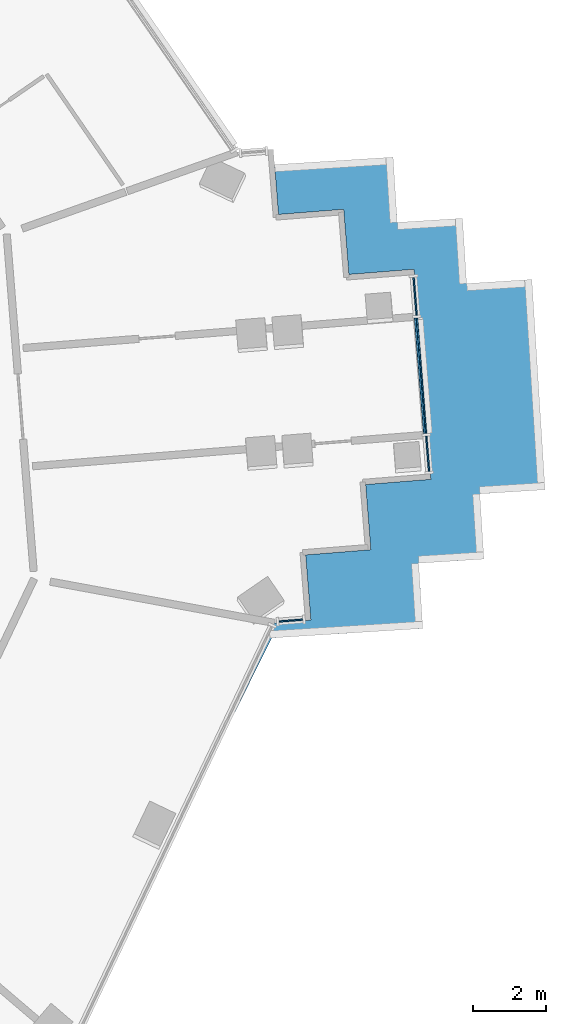
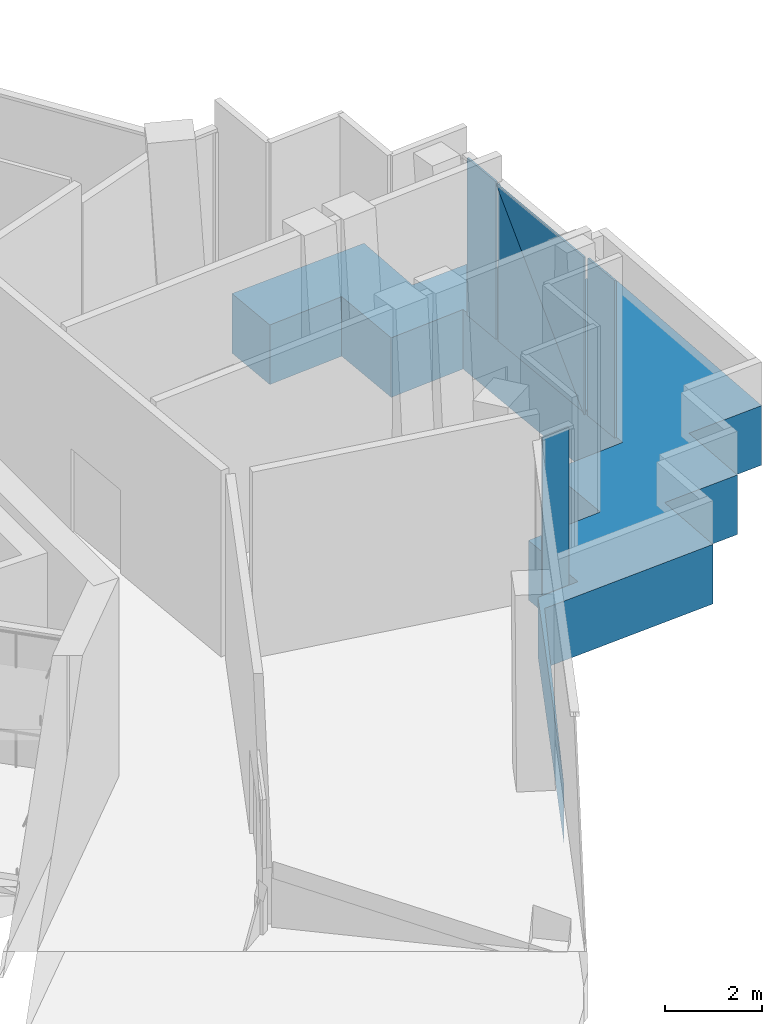
# One storey, part 9 of 21: 5 plates, 1 slab, 2 elements without a shape of their own.
"""IFC4 building model written with IfcOpenShell, lengths in metres."""

from ifc_helpers import new_model, si_unit, direction, frame, origin, origin_2d, place, context, subcontext, project, spatial, polyline, rectangle, outline, extrude, material, layer, layer_set, type_object, element, aggregate, save


model = new_model("IFC4")

# Units and contexts
model_context = context("Model", 3, precision=1e-05, world=origin(), true_north=direction((0.0, 1.0)))
body_context = subcontext(model_context, "Body", "Model", "MODEL_VIEW")
ifc_project = project(units=[si_unit("LENGTHUNIT", "METRE"), si_unit("AREAUNIT", "SQUARE_METRE"), si_unit("VOLUMEUNIT", "CUBIC_METRE"), si_unit("PLANEANGLEUNIT", "RADIAN"), si_unit("MASSUNIT", "GRAM", prefix="KILO")], contexts=[model_context])

# Site, building, storey
site_placement = place(None, origin())
site = spatial("IfcSite", under=ifc_project, at=site_placement, CompositionType="ELEMENT")
building_placement = place(site_placement, origin())
building = spatial("IfcBuilding", under=site, at=building_placement, Name="Verdalira Terraces Hotel", CompositionType="ELEMENT")
storey_placement = place(building_placement, frame((0.0, 0.0, 175.0)))
storey = spatial("IfcBuildingStorey", under=building, at=storey_placement, Name="L42", CompositionType="ELEMENT", Elevation=175.0)

# Curtain wall, plate
ifc_material_1 = material(Name="Clear glass", Category="glass")
ifc_layer_1 = layer(ifc_material_1, 0.239990234375)
ifc_layer_set_1 = layer_set([ifc_layer_1], Name="CW5 curtain wall")
curtain_wall_type = type_object("IfcCurtainWallType", Name="CW5 curtain wall", PredefinedType="NOTDEFINED", material=ifc_layer_set_1)
curtain_wall_1_placement = place(storey_placement, origin())
curtain_wall_1 = element("IfcCurtainWall", 1, at=curtain_wall_1_placement, inside=storey, type_object=curtain_wall_type, Name="CW5 curtain wall L42 edge 28", PredefinedType="NOTDEFINED")
ifc_material_2 = material(Name="Clear glass", Category="glass")
ifc_layer_2 = layer(ifc_material_2, 0.0439453125)
ifc_layer_set_2 = layer_set([ifc_layer_2], Name="CW5 glass unit 44")
plate_type = type_object("IfcPlateType", Name="CW5 glass unit 44", PredefinedType="CURTAIN_PANEL", material=ifc_layer_set_2)
plate_1_placement = place(storey_placement, frame((25.145508, -4.485107, 0.0), z_axis=(0.0, 0.0, 1.0), x_axis=(0.996834625, 0.079503022, 0.0)))
plate_1 = element("IfcPlate", 2, at=plate_1_placement, type_object=plate_type, Name="CW5 glass unit", PredefinedType="CURTAIN_PANEL", context=body_context, shape_type="SweptSolid", body=[
    extrude(rectangle(XDim=0.657959, YDim=0.043945, at=origin_2d()), origin(), (0.0, 0.0, 1.0), 3.965088),
])
aggregate(curtain_wall_1, [plate_1])

# Curtain wall, plates
curtain_wall_2_placement = place(storey_placement, origin())
curtain_wall_2 = element("IfcCurtainWall", 3, at=curtain_wall_2_placement, inside=storey, type_object=curtain_wall_type, Name="CW5 curtain wall L42 edge 33", PredefinedType="NOTDEFINED")
plate_2_placement = place(storey_placement, frame((28.911377, 0.106201, 0.0), z_axis=(0.0, 0.0, 1.0), x_axis=(-0.079503022, 0.996834625, 0.0)))
plate_2 = element("IfcPlate", 4, at=plate_2_placement, type_object=plate_type, Name="CW5 glass unit", PredefinedType="CURTAIN_PANEL", context=body_context, shape_type="SweptSolid", body=[
    extrude(rectangle(XDim=0.974854, YDim=0.043945, at=origin_2d()), origin(), (0.0, 0.0, 1.0), 3.965088),
])
plate_3_placement = place(storey_placement, frame((28.718018, 2.252441, 1.982422), z_axis=(0.996834625, 0.079503022, 0.0), x_axis=(-0.079503022, 0.996834625, 0.0)))
plate_3 = element("IfcPlate", 5, at=plate_3_placement, type_object=plate_type, Name="CW5 glass unit", PredefinedType="CURTAIN_PANEL", context=body_context, shape_type="SweptSolid", body=[
    extrude(outline(polyline([(-1.597168, -1.982422), (1.597168, -1.982422), (1.597168, 1.982422), (-1.597168, -1.982422)])), origin(), (0.0, 0.0, 1.0), 0.043945),
])
plate_4_placement = place(storey_placement, frame((28.67334, 2.248779, 1.982422), z_axis=(0.996834625, 0.079503022, 0.0), x_axis=(-0.079503022, 0.996834625, 0.0)))
plate_4 = element("IfcPlate", 6, at=plate_4_placement, type_object=plate_type, Name="CW5 glass unit", PredefinedType="CURTAIN_PANEL", context=body_context, shape_type="SweptSolid", body=[
    extrude(outline(polyline([(-1.597168, -1.982422), (1.597168, 1.982422), (-1.597168, 1.982422), (-1.597168, -1.982422)])), origin(), (0.0, 0.0, 1.0), 0.043945),
])
plate_5_placement = place(storey_placement, frame((28.565674, 4.439941, 0.0), z_axis=(0.0, 0.0, 1.0), x_axis=(-0.079503022, 0.996834625, 0.0)))
plate_5 = element("IfcPlate", 7, at=plate_5_placement, type_object=plate_type, Name="CW5 glass unit", PredefinedType="CURTAIN_PANEL", context=body_context, shape_type="SweptSolid", body=[
    extrude(rectangle(XDim=1.050537, YDim=0.043945, at=origin_2d()), origin(), (0.0, 0.0, 1.0), 3.965088),
])
aggregate(curtain_wall_2, [plate_2, plate_3, plate_4, plate_5])

# Slab
ifc_material_3 = material(Name="Concrete C60", Category="concrete")
ifc_layer_3 = layer(ifc_material_3, 1.5)
ifc_layer_set_3 = layer_set([ifc_layer_3], Name="Sky garden floor deck 1500 C60")
slab_type = type_object("IfcSlabType", Name="Sky garden floor deck 1500 C60", PredefinedType="FLOOR", material=ifc_layer_set_3)
slab_placement = place(storey_placement, frame((0.0, 0.0, -1.5)))
element("IfcSlab", 8, at=slab_placement, inside=storey, type_object=slab_type, Name="Sky garden deck L42", PredefinedType="FLOOR", context=body_context, shape_type="SweptSolid", body=[
    extrude(outline(polyline([(27.960449, 8.271973), (24.695312, 8.066406), (24.804688, 6.693115), (26.599121, 6.836182), (26.742188, 5.041992), (28.536377, 5.185059), (28.997559, -0.596436), (27.203125, -0.739502), (27.346191, -2.533936), (25.552002, -2.677002), (25.695068, -4.471191), (24.698242, -4.550781), (21.818848, -10.604004), (24.618652, -4.964111), (28.776855, -4.702393), (28.663818, -2.906006), (30.460205, -2.792969), (30.347168, -0.996582), (32.143555, -0.883301), (31.779297, 4.905029), (29.98291, 4.791992), (29.870117, 6.588623), (28.073486, 6.475586), (27.960449, 8.271973)])), origin(), (0.0, 0.0, 1.0), 1.5),
])

save(model, "model.ifc")
